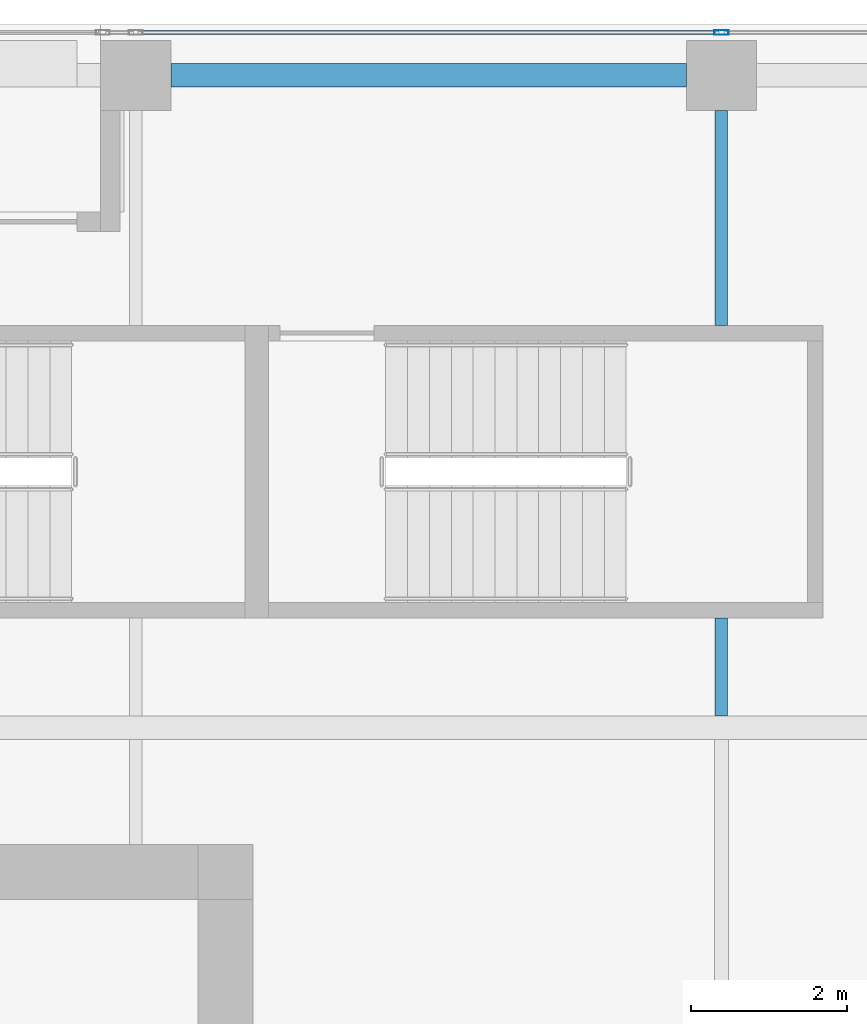
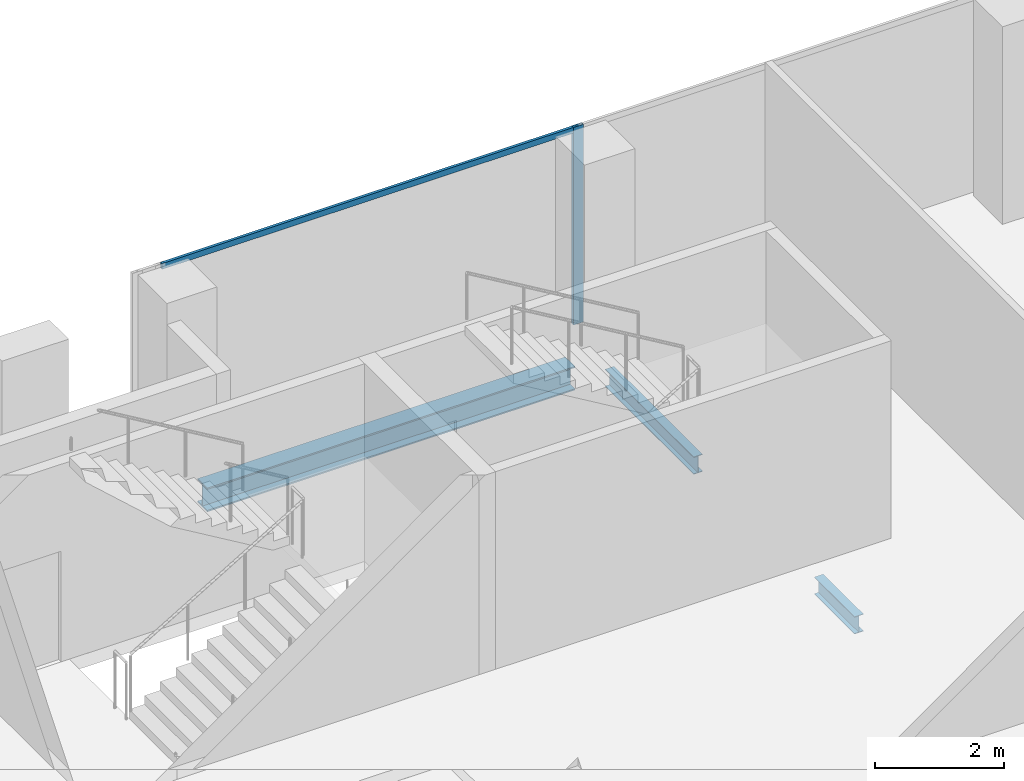
# One storey, part 19 of 35: 3 beams, 2 members, 1 element without a shape of its own.
"""IFC4 building model written with IfcOpenShell, lengths in metres."""

from ifc_helpers import new_model, si_unit, direction, frame, origin, origin_2d, place, context, subcontext, project, spatial, hollow_rectangle, i_section, extrude, source, transform, mapped, material, material_profile, profile_set, type_object, element, aggregate, save


model = new_model("IFC4")

# Units and contexts
model_context = context("Model", 3, precision=1e-05, world=origin(), true_north=direction((0.0, 1.0)))
body_context = subcontext(model_context, "Body", "Model", "MODEL_VIEW")
ifc_project = project(units=[si_unit("LENGTHUNIT", "METRE"), si_unit("AREAUNIT", "SQUARE_METRE"), si_unit("VOLUMEUNIT", "CUBIC_METRE"), si_unit("PLANEANGLEUNIT", "RADIAN"), si_unit("MASSUNIT", "GRAM", prefix="KILO")], contexts=[model_context])

# Site, building, storey
site_placement = place(None, origin())
site = spatial("IfcSite", under=ifc_project, at=site_placement, CompositionType="ELEMENT")
building_placement = place(site_placement, origin())
building = spatial("IfcBuilding", under=site, at=building_placement, Name="Khomas Fold Tower", CompositionType="ELEMENT")
storey_placement = place(building_placement, frame((0.0, 0.0, 262.199951171875)))
storey = spatial("IfcBuildingStorey", under=building, at=storey_placement, Name="L59", CompositionType="ELEMENT", Elevation=262.199951171875)

# Beams
ifc_material_1 = material(Name="Steel S355", Category="steel")
ifc_material_profile_1 = material_profile(ifc_material_1, i_section(OverallWidth=0.159912109375, OverallDepth=0.330078125, WebThickness=0.007568359375, FlangeThickness=0.011474609375, at=origin_2d()), Name="IPE 330")
ifc_profile_set_1 = profile_set([ifc_material_profile_1], Name="Steel S355")
beam_type_1 = type_object("IfcBeamType", Name="IPE 330 beam JB1", PredefinedType="BEAM", material=ifc_profile_set_1)
shared_shape_1 = source(origin(), body_context, "Body", "SweptSolid", [
    extrude(i_section(OverallWidth=0.159912109375, OverallDepth=0.330078125, WebThickness=0.007568359375, FlangeThickness=0.011474609375, at=origin_2d()), origin(), (0.0, 0.0, 1.0), 1.25),
])
beam_1_placement = place(storey_placement, frame((27.0, 40.64990234375, -0.4150390625), z_axis=(0.0, 1.0, 0.0), x_axis=(-1.0, 0.0, 0.0)))
element("IfcBeam", 1, at=beam_1_placement, inside=storey, type_object=beam_type_1, Name="JB1", PredefinedType="BEAM", context=body_context, shape_type="MappedRepresentation", body=[
    mapped(shared_shape_1, transform((0.0, 0.0, 0.0))),
])
shared_shape_2 = source(origin(), body_context, "Body", "SweptSolid", [
    extrude(i_section(OverallWidth=0.159912109375, OverallDepth=0.330078125, WebThickness=0.007568359375, FlangeThickness=0.011474609375, at=origin_2d()), origin(), (0.0, 0.0, 1.0), 2.75),
])
beam_2_placement = place(storey_placement, frame((27.0, 45.64990234375, -0.4150390625), z_axis=(0.0, 1.0, 0.0), x_axis=(-1.0, 0.0, 0.0)))
element("IfcBeam", 2, at=beam_2_placement, inside=storey, type_object=beam_type_1, Name="JB1", PredefinedType="BEAM", context=body_context, shape_type="MappedRepresentation", body=[
    mapped(shared_shape_2, transform((0.0, 0.0, 0.0))),
])
ifc_material_2 = material(Name="Steel S355", Category="steel")
ifc_material_profile_2 = material_profile(ifc_material_2, i_section(OverallWidth=0.300048828125, OverallDepth=0.449951171875, WebThickness=0.013916015625, FlangeThickness=0.02587890625, at=origin_2d()), Name="HE 450 B")
ifc_profile_set_2 = profile_set([ifc_material_profile_2], Name="Steel S355")
beam_type_2 = type_object("IfcBeamType", Name="HE 450 B spandrel SB4", PredefinedType="SPANDREL", material=ifc_profile_set_2)
shared_shape_3 = source(origin(), body_context, "Body", "SweptSolid", [
    extrude(i_section(OverallWidth=0.300048828125, OverallDepth=0.449951171875, WebThickness=0.013916015625, FlangeThickness=0.02587890625, at=origin_2d()), origin(), (0.0, 0.0, 1.0), 6.60009765625),
])
beam_3_placement = place(storey_placement, frame((19.949951171875, 48.85009765625, -0.474853515625), z_axis=(1.0, 0.0, 0.0), x_axis=(0.0, 1.0, 0.0)))
element("IfcBeam", 3, at=beam_3_placement, inside=storey, type_object=beam_type_2, Name="SB4", PredefinedType="SPANDREL", context=body_context, shape_type="MappedRepresentation", body=[
    mapped(shared_shape_3, transform((0.0, 0.0, 0.0))),
])

# Curtain wall, members
ifc_material_3 = material(Name="Aluminium framed double glazing", Category="aluminium")
curtain_wall_type = type_object("IfcCurtainWallType", Name="SK-Unitised clear-glass wall, office floors CW2", PredefinedType="NOTDEFINED", material=ifc_material_3)
curtain_wall_placement = place(storey_placement, origin())
curtain_wall = element("IfcCurtainWall", 4, at=curtain_wall_placement, inside=storey, type_object=curtain_wall_type, Name="CW2 run L59 06-0", PredefinedType="NOTDEFINED")
ifc_material_4 = material(Name="Aluminium", Category="aluminium")
ifc_material_profile_3 = material_profile(ifc_material_4, hollow_rectangle(XDim=0.06005859375, YDim=0.179931640625, WallThickness=0.00390625, at=origin_2d()), Name="SK-Unitised clear-glass wall, office floors mullion CW2-M")
ifc_profile_set_3 = profile_set([ifc_material_profile_3], Name="Aluminium")
member_type_1 = type_object("IfcMemberType", Name="SK-Unitised clear-glass wall, office floors mullion CW2-M", PredefinedType="MULLION", material=ifc_profile_set_3)
shared_shape_4 = source(origin(), body_context, "Body", "SweptSolid", [
    extrude(hollow_rectangle(XDim=0.06005859375, YDim=0.179931640625, WallThickness=0.00390625, at=origin_2d()), origin(), (0.0, 0.0, 1.0), 3.75),
])
member_1_placement = place(storey_placement, frame((27.0, 49.39990234375, 0.0), z_axis=(0.0, 0.0, 1.0), x_axis=(0.0, -1.0, 0.0)))
member_1 = element("IfcMember", 5, at=member_1_placement, type_object=member_type_1, Name="CW2 mullion 4", PredefinedType="MULLION", context=body_context, shape_type="MappedRepresentation", body=[
    mapped(shared_shape_4, transform((0.0, 0.0, 0.0))),
])
ifc_material_5 = material(Name="Aluminium", Category="aluminium")
ifc_material_profile_4 = material_profile(ifc_material_5, hollow_rectangle(XDim=0.050048828125, YDim=0.110107421875, WallThickness=0.00390625, at=origin_2d()), Name="SK-Unitised clear-glass wall, office floors transom CW2-T")
ifc_profile_set_4 = profile_set([ifc_material_profile_4], Name="Aluminium")
member_type_2 = type_object("IfcMemberType", Name="SK-Unitised clear-glass wall, office floors transom CW2-T", PredefinedType="USERDEFINED", material=ifc_profile_set_4)
shared_shape_5 = source(origin(), body_context, "Body", "SweptSolid", [
    extrude(hollow_rectangle(XDim=0.050048828125, YDim=0.110107421875, WallThickness=0.00390625, at=origin_2d()), origin(), (0.0, 0.0, 1.0), 7.43994140625),
])
member_2_placement = place(storey_placement, frame((26.969970703125, 49.39990234375, 3.695068359375), z_axis=(-1.0, 0.0, 0.0), x_axis=(0.0, -1.0, 0.0)))
member_2 = element("IfcMember", 6, at=member_2_placement, type_object=member_type_2, Name="CW2 transom 4", ObjectType="TRANSOM", PredefinedType="USERDEFINED", context=body_context, shape_type="MappedRepresentation", body=[
    mapped(shared_shape_5, transform((0.0, 0.0, 0.0))),
])
aggregate(curtain_wall, [member_1, member_2])

save(model, "model.ifc")
